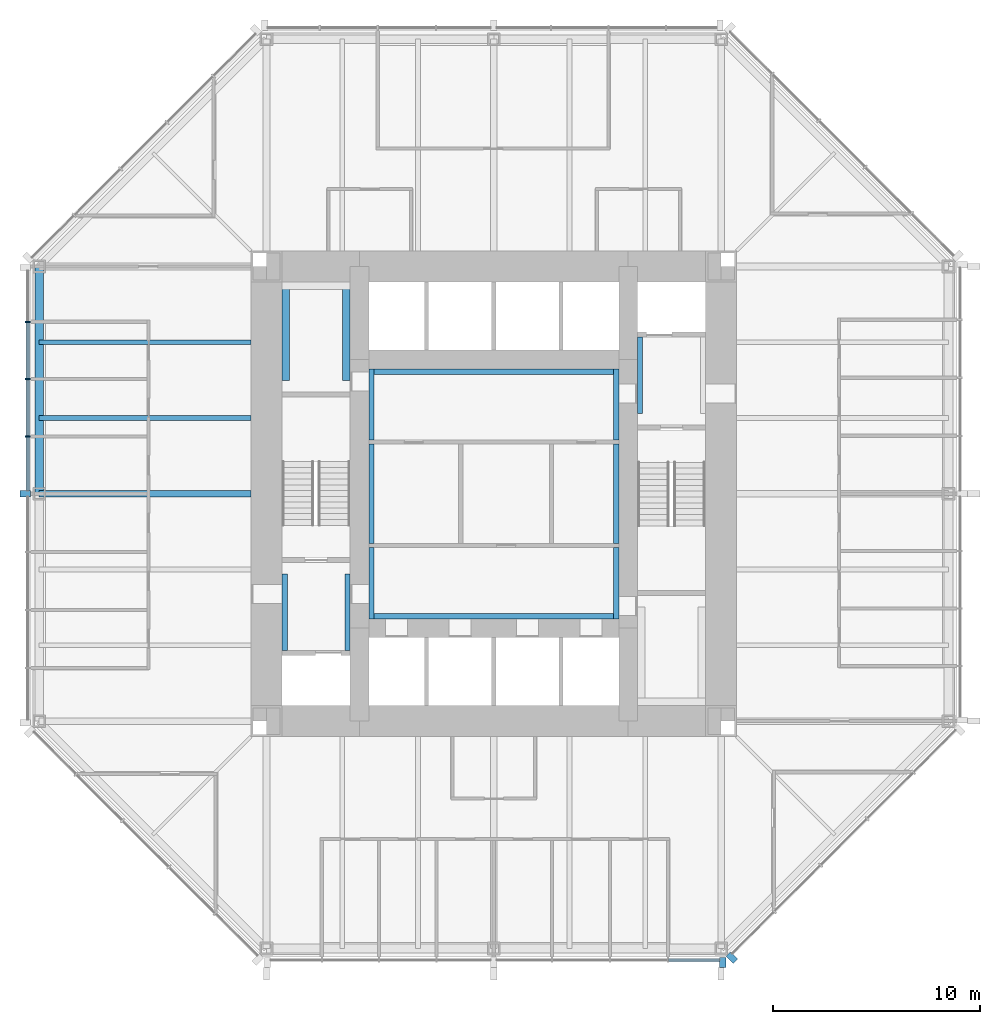
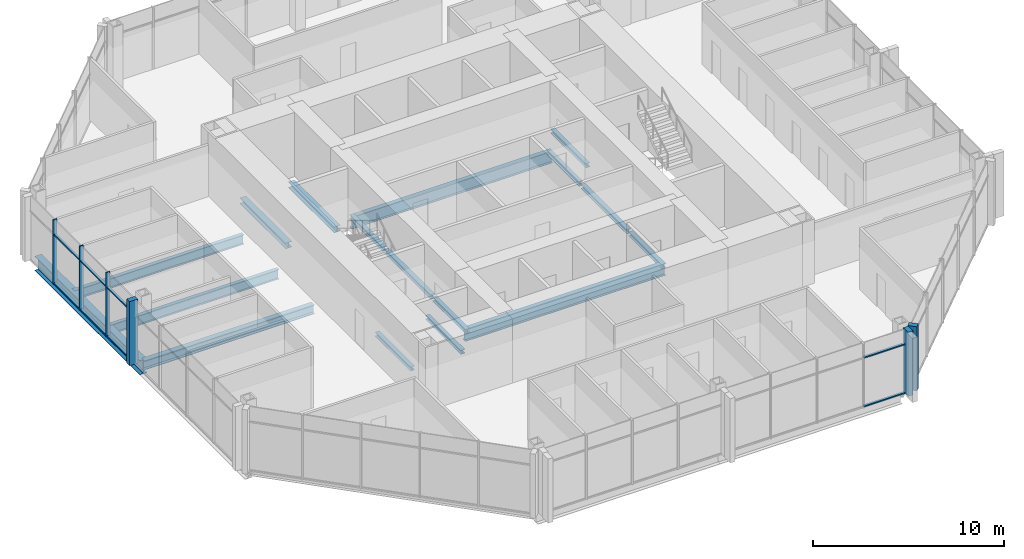
# One storey, part 3 of 12: 17 beams, 14 members, 3 elements without a shape of their own.
"""IFC4 building model written with IfcOpenShell, lengths in metres."""

from ifc_helpers import new_model, si_unit, direction, frame, origin, origin_2d, place, context, subcontext, project, spatial, rectangle, i_section, extrude, material, material_profile, profile_set, type_object, element, aggregate, save


model = new_model("IFC4")

# Units and contexts
model_context = context("Model", 3, precision=1e-05, world=origin(), true_north=direction((0.0, 1.0)))
body_context = subcontext(model_context, "Body", "Model", "MODEL_VIEW")
ifc_project = project(units=[si_unit("LENGTHUNIT", "METRE"), si_unit("AREAUNIT", "SQUARE_METRE"), si_unit("VOLUMEUNIT", "CUBIC_METRE"), si_unit("PLANEANGLEUNIT", "RADIAN"), si_unit("MASSUNIT", "GRAM", prefix="KILO")], contexts=[model_context])

# Site, building, storey
site_placement = place(None, origin())
site = spatial("IfcSite", under=ifc_project, at=site_placement, CompositionType="ELEMENT")
building_placement = place(site_placement, origin())
building = spatial("IfcBuilding", under=site, at=building_placement, Name="Trevanion Tower", CompositionType="ELEMENT")
storey_placement = place(building_placement, frame((0.0, 0.0, 174.60009765625)))
storey = spatial("IfcBuildingStorey", under=building, at=storey_placement, Name="L41", CompositionType="ELEMENT", Elevation=174.60009765625)

# Beams
ifc_material_1 = material(Name="Steel ASTM A992 Grade 50", Category="steel")
ifc_material_profile_1 = material_profile(ifc_material_1, i_section(OverallWidth=0.22900390625, OverallDepth=0.612060546875, WebThickness=0.011962890625, FlangeThickness=0.01953125, at=origin_2d()), Name="W24X84")
ifc_profile_set_1 = profile_set([ifc_material_profile_1], Name="Steel ASTM A992 Grade 50")
beam_type_1 = type_object("IfcBeamType", Name="B7 W24X84", PredefinedType="BEAM", material=ifc_profile_set_1)
for number, where, z_axis, x_axis, name in (
    (1, (-11.75, 7.333251953125, -0.49609375), (-1.0, 0.0, 0.0), (0.0, -1.0, 0.0), "B7 L41"),
    (2, (-11.75, 3.666748046875, -0.49609375), (-1.0, 0.0, 0.0), (0.0, -1.0, 0.0), "B7 L41"),
):
    element("IfcBeam", number, at=place(storey_placement, frame(where, z_axis=z_axis, x_axis=x_axis)), inside=storey, type_object=beam_type_1, Name=name, PredefinedType="BEAM", context=body_context, shape_type="SweptSolid", body=[
        extrude(i_section(OverallWidth=0.22900390625, OverallDepth=0.612060546875, WebThickness=0.011962890625, FlangeThickness=0.01953125, at=origin_2d()), origin(), (0.0, 0.0, 1.0), 10.25),
    ])

# Curtain wall, members
ifc_material_2 = material(Name="Aluminium and glass", Category="aluminium")
curtain_wall_type = type_object("IfcCurtainWallType", Name="CW2 curtain wall", PredefinedType="USERDEFINED", material=ifc_material_2)
curtain_wall_1_placement = place(storey_placement, origin())
curtain_wall_1 = element("IfcCurtainWall", 3, at=curtain_wall_1_placement, inside=storey, type_object=curtain_wall_type, Name="CW2 L41 4", ObjectType="UNITISED CURTAIN WALL", PredefinedType="USERDEFINED")
ifc_material_3 = material(Name="Aluminium extrusion, anodised bronze", Category="aluminium")
ifc_material_profile_2 = material_profile(ifc_material_3, rectangle(XDim=0.074951171875, YDim=0.25, at=origin_2d()), Name="CW2 mullion")
ifc_profile_set_2 = profile_set([ifc_material_profile_2], Name="Aluminium extrusion, anodised bronze")
member_type_1 = type_object("IfcMemberType", Name="CW2 mullion", PredefinedType="MULLION", material=ifc_profile_set_2)
member_1_placement = place(storey_placement, frame((-22.550048828125, 8.323486328125, -0.190185546875), z_axis=(0.0, 0.0, 1.0), x_axis=(0.0, -1.0, 0.0)))
member_1 = element("IfcMember", 4, at=member_1_placement, type_object=member_type_1, Name="CW2 mullion 2", PredefinedType="MULLION", context=body_context, shape_type="SweptSolid", body=[
    extrude(rectangle(XDim=0.074951171875, YDim=0.25, at=origin_2d()), origin(), (0.0, 0.0, 1.0), 4.10009765625),
])
member_2_placement = place(storey_placement, frame((-22.550048828125, 5.548828125, -0.190185546875), z_axis=(0.0, 0.0, 1.0), x_axis=(0.0, -1.0, 0.0)))
member_2 = element("IfcMember", 5, at=member_2_placement, type_object=member_type_1, Name="CW2 mullion 3", PredefinedType="MULLION", context=body_context, shape_type="SweptSolid", body=[
    extrude(rectangle(XDim=0.074951171875, YDim=0.25, at=origin_2d()), origin(), (0.0, 0.0, 1.0), 4.10009765625),
])
member_3_placement = place(storey_placement, frame((-22.550048828125, 2.7744140625, -0.190185546875), z_axis=(0.0, 0.0, 1.0), x_axis=(0.0, -1.0, 0.0)))
member_3 = element("IfcMember", 6, at=member_3_placement, type_object=member_type_1, Name="CW2 mullion 4", PredefinedType="MULLION", context=body_context, shape_type="SweptSolid", body=[
    extrude(rectangle(XDim=0.074951171875, YDim=0.25, at=origin_2d()), origin(), (0.0, 0.0, 1.0), 4.10009765625),
])
ifc_material_4 = material(Name="Aluminium extrusion, anodised bronze", Category="aluminium")
ifc_material_profile_3 = material_profile(ifc_material_4, rectangle(XDim=0.300048828125, YDim=0.5, at=origin_2d()), Name="CW2 pier mullion")
ifc_profile_set_3 = profile_set([ifc_material_profile_3], Name="Aluminium extrusion, anodised bronze")
member_type_2 = type_object("IfcMemberType", Name="CW2 pier mullion", PredefinedType="MULLION", material=ifc_profile_set_3)
member_4_placement = place(storey_placement, frame((-22.675048828125, 0.0, -0.190185546875), z_axis=(0.0, 0.0, 1.0), x_axis=(0.0, -1.0, 0.0)))
member_4 = element("IfcMember", 7, at=member_4_placement, type_object=member_type_2, Name="CW2 pier mullion 5", PredefinedType="MULLION", context=body_context, shape_type="SweptSolid", body=[
    extrude(rectangle(XDim=0.300048828125, YDim=0.5, at=origin_2d()), origin(), (0.0, 0.0, 1.0), 4.10009765625),
])

# Curtain wall, member
curtain_wall_2_placement = place(storey_placement, origin())
curtain_wall_2 = element("IfcCurtainWall", 8, at=curtain_wall_2_placement, inside=storey, type_object=curtain_wall_type, Name="CW2 L41 6", ObjectType="UNITISED CURTAIN WALL", PredefinedType="USERDEFINED")
member_5_placement = place(storey_placement, frame((11.077880859375, -22.675048828125, -0.190185546875), z_axis=(0.0, 0.0, 1.0), x_axis=(1.0, 0.0, 0.0)))
member_5 = element("IfcMember", 9, at=member_5_placement, type_object=member_type_2, Name="CW2 pier mullion 9", PredefinedType="MULLION", context=body_context, shape_type="SweptSolid", body=[
    extrude(rectangle(XDim=0.300048828125, YDim=0.5, at=origin_2d()), origin(), (0.0, 0.0, 1.0), 4.10009765625),
])

curtain_wall_3_placement = place(storey_placement, origin())
curtain_wall_3 = element("IfcCurtainWall", 10, at=curtain_wall_3_placement, inside=storey, type_object=curtain_wall_type, Name="CW2 L41 7", ObjectType="UNITISED CURTAIN WALL", PredefinedType="USERDEFINED")
member_6_placement = place(storey_placement, frame((11.51416015625, -22.4404296875, -0.190185546875), z_axis=(0.0, 0.0, 1.0), x_axis=(0.707106781187, 0.707106781187, 0.0)))
member_6 = element("IfcMember", 11, at=member_6_placement, type_object=member_type_2, Name="CW2 pier mullion 1", PredefinedType="MULLION", context=body_context, shape_type="SweptSolid", body=[
    extrude(rectangle(XDim=0.300048828125, YDim=0.5, at=origin_2d()), origin(), (0.0, 0.0, 1.0), 4.10009765625),
])
aggregate(curtain_wall_3, [member_6])

# Member
ifc_material_5 = material(Name="Aluminium extrusion, anodised bronze", Category="aluminium")
ifc_material_profile_4 = material_profile(ifc_material_5, rectangle(XDim=0.14990234375, YDim=0.074951171875, at=origin_2d()), Name="CW2 transom")
ifc_profile_set_4 = profile_set([ifc_material_profile_4], Name="Aluminium extrusion, anodised bronze")
member_type_3 = type_object("IfcMemberType", Name="CW2 transom", PredefinedType="USERDEFINED", material=ifc_profile_set_4)
member_7_placement = place(storey_placement, frame((-22.550048828125, 8.285888671875, -0.152587890625), z_axis=(0.0, -1.0, 0.0), x_axis=(1.0, 0.0, 0.0)))
member_7 = element("IfcMember", 12, at=member_7_placement, type_object=member_type_3, Name="CW2 transom 2.1", ObjectType="TRANSOM", PredefinedType="USERDEFINED", context=body_context, shape_type="SweptSolid", body=[
    extrude(rectangle(XDim=0.14990234375, YDim=0.074951171875, at=origin_2d()), origin(), (0.0, 0.0, 1.0), 2.699462890625),
])

member_8_placement = place(storey_placement, frame((-22.550048828125, 8.285888671875, 2.9599609375), z_axis=(0.0, -1.0, 0.0), x_axis=(1.0, 0.0, 0.0)))
member_8 = element("IfcMember", 13, at=member_8_placement, type_object=member_type_3, Name="CW2 transom 2.2", ObjectType="TRANSOM", PredefinedType="USERDEFINED", context=body_context, shape_type="SweptSolid", body=[
    extrude(rectangle(XDim=0.14990234375, YDim=0.074951171875, at=origin_2d()), origin(), (0.0, 0.0, 1.0), 2.699462890625),
])

member_9_placement = place(storey_placement, frame((-22.550048828125, 5.511474609375, -0.152587890625), z_axis=(0.0, -1.0, 0.0), x_axis=(1.0, 0.0, 0.0)))
member_9 = element("IfcMember", 14, at=member_9_placement, type_object=member_type_3, Name="CW2 transom 3.1", ObjectType="TRANSOM", PredefinedType="USERDEFINED", context=body_context, shape_type="SweptSolid", body=[
    extrude(rectangle(XDim=0.14990234375, YDim=0.074951171875, at=origin_2d()), origin(), (0.0, 0.0, 1.0), 2.699462890625),
])

member_10_placement = place(storey_placement, frame((-22.550048828125, 5.511474609375, 2.9599609375), z_axis=(0.0, -1.0, 0.0), x_axis=(1.0, 0.0, 0.0)))
member_10 = element("IfcMember", 15, at=member_10_placement, type_object=member_type_3, Name="CW2 transom 3.2", ObjectType="TRANSOM", PredefinedType="USERDEFINED", context=body_context, shape_type="SweptSolid", body=[
    extrude(rectangle(XDim=0.14990234375, YDim=0.074951171875, at=origin_2d()), origin(), (0.0, 0.0, 1.0), 2.699462890625),
])

member_11_placement = place(storey_placement, frame((-22.550048828125, 2.737060546875, -0.152587890625), z_axis=(0.0, -1.0, 0.0), x_axis=(1.0, 0.0, 0.0)))
member_11 = element("IfcMember", 16, at=member_11_placement, type_object=member_type_3, Name="CW2 transom 4.1", ObjectType="TRANSOM", PredefinedType="USERDEFINED", context=body_context, shape_type="SweptSolid", body=[
    extrude(rectangle(XDim=0.14990234375, YDim=0.074951171875, at=origin_2d()), origin(), (0.0, 0.0, 1.0), 2.587158203125),
])

member_12_placement = place(storey_placement, frame((-22.550048828125, 2.737060546875, 2.9599609375), z_axis=(0.0, -1.0, 0.0), x_axis=(1.0, 0.0, 0.0)))
member_12 = element("IfcMember", 17, at=member_12_placement, type_object=member_type_3, Name="CW2 transom 4.2", ObjectType="TRANSOM", PredefinedType="USERDEFINED", context=body_context, shape_type="SweptSolid", body=[
    extrude(rectangle(XDim=0.14990234375, YDim=0.074951171875, at=origin_2d()), origin(), (0.0, 0.0, 1.0), 2.587158203125),
])

aggregate(curtain_wall_1, [member_1, member_2, member_3, member_4, member_7, member_8, member_9, member_10, member_11, member_12])

member_13_placement = place(storey_placement, frame((8.45849609375, -22.550048828125, -0.152587890625), z_axis=(1.0, 0.0, 0.0), x_axis=(0.0, 1.0, 0.0)))
member_13 = element("IfcMember", 18, at=member_13_placement, type_object=member_type_3, Name="CW2 transom 8.1", ObjectType="TRANSOM", PredefinedType="USERDEFINED", context=body_context, shape_type="SweptSolid", body=[
    extrude(rectangle(XDim=0.14990234375, YDim=0.074951171875, at=origin_2d()), origin(), (0.0, 0.0, 1.0), 2.46923828125),
])

member_14_placement = place(storey_placement, frame((8.45849609375, -22.550048828125, 2.9599609375), z_axis=(1.0, 0.0, 0.0), x_axis=(0.0, 1.0, 0.0)))
member_14 = element("IfcMember", 19, at=member_14_placement, type_object=member_type_3, Name="CW2 transom 8.2", ObjectType="TRANSOM", PredefinedType="USERDEFINED", context=body_context, shape_type="SweptSolid", body=[
    extrude(rectangle(XDim=0.14990234375, YDim=0.074951171875, at=origin_2d()), origin(), (0.0, 0.0, 1.0), 2.46923828125),
])

aggregate(curtain_wall_2, [member_5, member_13, member_14])

# Beams
ifc_material_6 = material(Name="Steel ASTM A992 Grade 50", Category="steel")
ifc_material_profile_5 = material_profile(ifc_material_6, i_section(OverallWidth=0.320068359375, OverallDepth=0.584228515625, WebThickness=0.023193359375, FlangeThickness=0.04150390625, at=origin_2d()), Name="W21X201")
ifc_profile_set_5 = profile_set([ifc_material_profile_5], Name="Steel ASTM A992 Grade 50")
beam_type_2 = type_object("IfcBeamType", Name="G4 W21X201", PredefinedType="BEAM", material=ifc_profile_set_5)
beam_1_placement = place(storey_placement, frame((-11.75, 0.0, -0.482177734375), z_axis=(-1.0, 0.0, 0.0), x_axis=(0.0, -1.0, 0.0)))
element("IfcBeam", 20, at=beam_1_placement, inside=storey, type_object=beam_type_2, Name="G4 L41", PredefinedType="BEAM", context=body_context, shape_type="SweptSolid", body=[
    extrude(i_section(OverallWidth=0.320068359375, OverallDepth=0.584228515625, WebThickness=0.023193359375, FlangeThickness=0.04150390625, at=origin_2d()), origin(), (0.0, 0.0, 1.0), 10.25),
])
ifc_material_7 = material(Name="Steel ASTM A992 Grade 50", Category="steel")
ifc_material_profile_6 = material_profile(ifc_material_7, i_section(OverallWidth=0.256591796875, OverallDepth=0.26416015625, WebThickness=0.011962890625, FlangeThickness=0.01953125, at=origin_2d()), Name="W10X68")
ifc_profile_set_6 = profile_set([ifc_material_profile_6], Name="Steel ASTM A992 Grade 50")
beam_type_3 = type_object("IfcBeamType", Name="LB1 W10X68", PredefinedType="BEAM", material=ifc_profile_set_6)
for number, where, z_axis, x_axis, name in (
    (21, (-5.921630859375, 2.60009765625, -0.332275390625), (0.0, 1.0, 0.0), (-1.0, 0.0, 0.0), "LB1 L41"),
    (22, (5.921630859375, 2.60009765625, -0.332275390625), (0.0, 1.0, 0.0), (-1.0, 0.0, 0.0), "LB1 L41"),
    (23, (-5.921630859375, -6.050048828125, -0.332275390625), (0.0, 1.0, 0.0), (-1.0, 0.0, 0.0), "LB1 L41"),
    (24, (5.921630859375, -6.050048828125, -0.332275390625), (0.0, 1.0, 0.0), (-1.0, 0.0, 0.0), "LB1 L41"),
):
    element("IfcBeam", number, at=place(storey_placement, frame(where, z_axis=z_axis, x_axis=x_axis)), inside=storey, type_object=beam_type_3, Name=name, PredefinedType="BEAM", context=body_context, shape_type="SweptSolid", body=[
        extrude(i_section(OverallWidth=0.256591796875, OverallDepth=0.26416015625, WebThickness=0.011962890625, FlangeThickness=0.01953125, at=origin_2d()), origin(), (0.0, 0.0, 1.0), 3.449951171875),
    ])
for number, where, z_axis, x_axis, name in (
    (25, (7.078369140625, 3.875, -0.332275390625), (0.0, 1.0, 0.0), (-1.0, 0.0, 0.0), "LB1 L41"),
    (26, (-10.12158203125, -7.574951171875, -0.332275390625), (0.0, 1.0, 0.0), (-1.0, 0.0, 0.0), "LB1 L41"),
    (27, (-7.078369140625, -7.574951171875, -0.332275390625), (0.0, 1.0, 0.0), (-1.0, 0.0, 0.0), "LB1 L41"),
):
    element("IfcBeam", number, at=place(storey_placement, frame(where, z_axis=z_axis, x_axis=x_axis)), inside=storey, type_object=beam_type_3, Name=name, PredefinedType="BEAM", context=body_context, shape_type="SweptSolid", body=[
        extrude(i_section(OverallWidth=0.256591796875, OverallDepth=0.26416015625, WebThickness=0.011962890625, FlangeThickness=0.01953125, at=origin_2d()), origin(), (0.0, 0.0, 1.0), 3.699951171875),
    ])
for number, where, z_axis, x_axis, name in (
    (28, (-5.921630859375, -2.39990234375, -0.332275390625), (0.0, 1.0, 0.0), (-1.0, 0.0, 0.0), "LB1 L41"),
    (29, (5.921630859375, -2.39990234375, -0.332275390625), (0.0, 1.0, 0.0), (-1.0, 0.0, 0.0), "LB1 L41"),
):
    element("IfcBeam", number, at=place(storey_placement, frame(where, z_axis=z_axis, x_axis=x_axis)), inside=storey, type_object=beam_type_3, Name=name, PredefinedType="BEAM", context=body_context, shape_type="SweptSolid", body=[
        extrude(i_section(OverallWidth=0.256591796875, OverallDepth=0.26416015625, WebThickness=0.011962890625, FlangeThickness=0.01953125, at=origin_2d()), origin(), (0.0, 0.0, 1.0), 4.7998046875),
    ])
ifc_material_8 = material(Name="Steel ASTM A992 Grade 50", Category="steel")
ifc_material_profile_7 = material_profile(ifc_material_8, i_section(OverallWidth=0.373291015625, OverallDepth=0.373291015625, WebThickness=0.016357421875, FlangeThickness=0.026123046875, at=origin_2d()), Name="W14X132")
ifc_profile_set_7 = profile_set([ifc_material_profile_7], Name="Steel ASTM A992 Grade 50")
beam_type_4 = type_object("IfcBeamType", Name="LB2 W14X132", PredefinedType="BEAM", material=ifc_profile_set_7)
for number, where, z_axis, x_axis, name in (
    (30, (-10.063232421875, 5.47509765625, -0.38671875), (0.0, 1.0, 0.0), (-1.0, 0.0, 0.0), "LB2 L41"),
    (31, (-7.13671875, 5.47509765625, -0.38671875), (0.0, 1.0, 0.0), (-1.0, 0.0, 0.0), "LB2 L41"),
):
    element("IfcBeam", number, at=place(storey_placement, frame(where, z_axis=z_axis, x_axis=x_axis)), inside=storey, type_object=beam_type_4, Name=name, PredefinedType="BEAM", context=body_context, shape_type="SweptSolid", body=[
        extrude(i_section(OverallWidth=0.373291015625, OverallDepth=0.373291015625, WebThickness=0.016357421875, FlangeThickness=0.026123046875, at=origin_2d()), origin(), (0.0, 0.0, 1.0), 4.77490234375),
    ])
ifc_material_9 = material(Name="Steel ASTM A992 Grade 50", Category="steel")
ifc_material_profile_8 = material_profile(ifc_material_9, i_section(OverallWidth=0.2666015625, OverallDepth=0.76953125, WebThickness=0.015625, FlangeThickness=0.025390625, at=origin_2d()), Name="W30X132")
ifc_profile_set_8 = profile_set([ifc_material_profile_8], Name="Steel ASTM A992 Grade 50")
beam_type_5 = type_object("IfcBeamType", Name="LB3 W30X132", PredefinedType="BEAM", material=ifc_profile_set_8)
for number, where, z_axis, x_axis, name in (
    (32, (-6.050048828125, 5.91650390625, -0.5849609375), (1.0, 0.0, 0.0), (0.0, 1.0, 0.0), "LB3 L41"),
    (33, (-6.050048828125, -5.91650390625, -0.5849609375), (1.0, 0.0, 0.0), (0.0, 1.0, 0.0), "LB3 L41"),
):
    element("IfcBeam", number, at=place(storey_placement, frame(where, z_axis=z_axis, x_axis=x_axis)), inside=storey, type_object=beam_type_5, Name=name, PredefinedType="BEAM", context=body_context, shape_type="SweptSolid", body=[
        extrude(i_section(OverallWidth=0.2666015625, OverallDepth=0.76953125, WebThickness=0.015625, FlangeThickness=0.025390625, at=origin_2d()), origin(), (0.0, 0.0, 1.0), 12.10009765625),
    ])
ifc_material_10 = material(Name="Steel ASTM A992 Grade 50", Category="steel")
ifc_material_profile_9 = material_profile(ifc_material_10, i_section(OverallWidth=0.419189453125, OverallDepth=0.927001953125, WebThickness=0.019287109375, FlangeThickness=0.031982421875, at=origin_2d()), Name="W36X231")
ifc_profile_set_9 = profile_set([ifc_material_profile_9], Name="Steel ASTM A992 Grade 50")
beam_type_6 = type_object("IfcBeamType", Name="SB4 W36X231", PredefinedType="SPANDREL", material=ifc_profile_set_9)
beam_2_placement = place(storey_placement, frame((-22.0, 11.0, -0.65380859375), z_axis=(0.0, -1.0, 0.0), x_axis=(1.0, 0.0, 0.0)))
element("IfcBeam", 34, at=beam_2_placement, inside=storey, type_object=beam_type_6, Name="SB4 L41", PredefinedType="SPANDREL", context=body_context, shape_type="SweptSolid", body=[
    extrude(i_section(OverallWidth=0.419189453125, OverallDepth=0.927001953125, WebThickness=0.019287109375, FlangeThickness=0.031982421875, at=origin_2d()), origin(), (0.0, 0.0, 1.0), 11.0),
])

save(model, "model.ifc")
